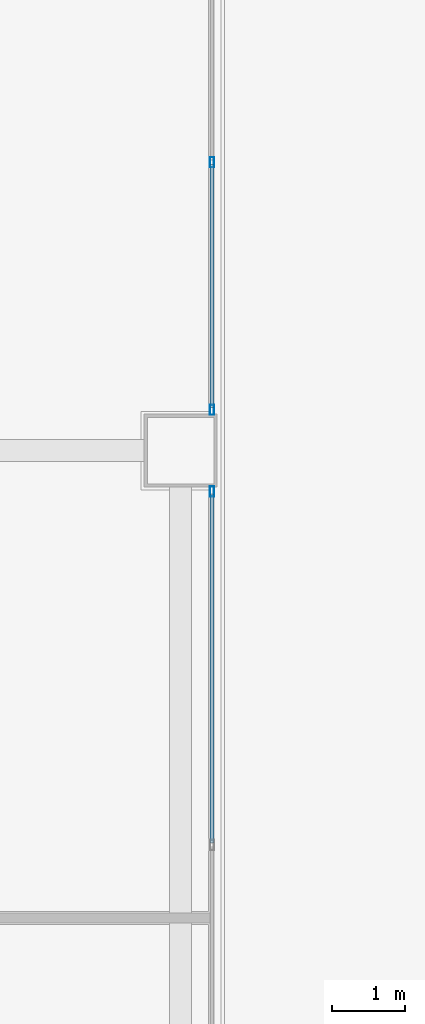
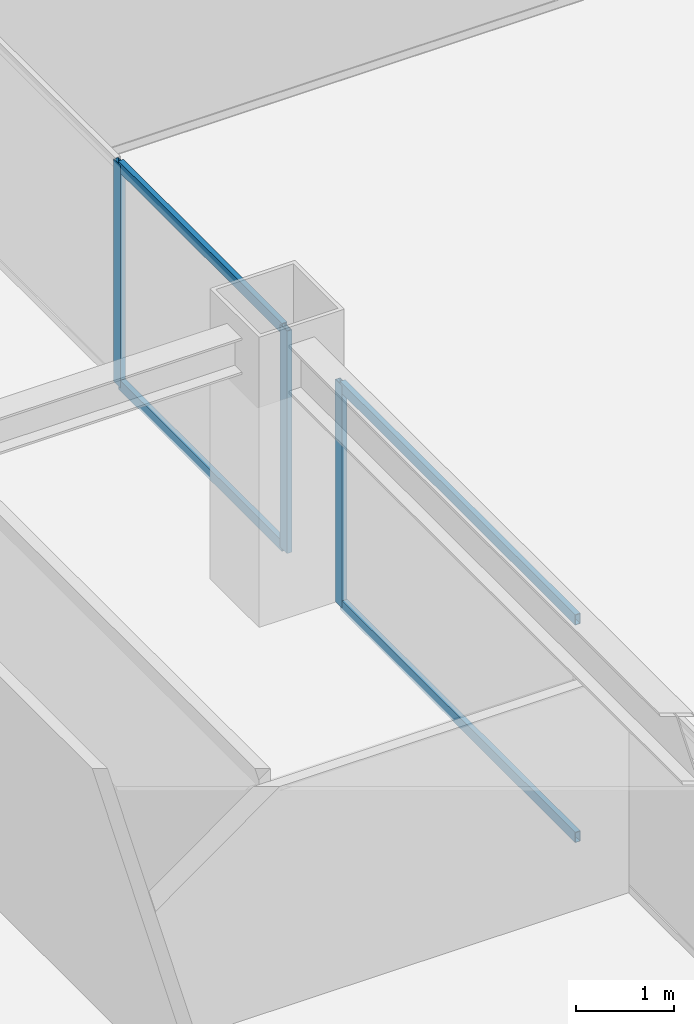
# One storey, part 7 of 30: 7 members, 2 elements without a shape of their own.
"""IFC4 building model written with IfcOpenShell, lengths in metres."""

from ifc_helpers import new_model, si_unit, direction, frame, origin, origin_2d, place, context, subcontext, project, spatial, hollow_rectangle, extrude, source, transform, mapped, material, layer, layer_set, material_profile, profile_set, type_object, element, aggregate, save


model = new_model("IFC4")

# Units and contexts
model_context = context("Model", 3, precision=1e-05, world=origin(), true_north=direction((0.0, 1.0)))
body_context = subcontext(model_context, "Body", "Model", "MODEL_VIEW")
ifc_project = project(units=[si_unit("LENGTHUNIT", "METRE"), si_unit("AREAUNIT", "SQUARE_METRE"), si_unit("VOLUMEUNIT", "CUBIC_METRE"), si_unit("PLANEANGLEUNIT", "RADIAN"), si_unit("MASSUNIT", "GRAM", prefix="KILO")], contexts=[model_context])

# Site, building, storey
site_placement = place(None, origin())
site = spatial("IfcSite", under=ifc_project, at=site_placement, CompositionType="ELEMENT")
building_placement = place(site_placement, origin())
building = spatial("IfcBuilding", under=site, at=building_placement, Name="Sumidabori Civic Tower", CompositionType="ELEMENT")
storey_placement = place(building_placement, frame((0.0, 0.0, 196.39990234375)))
storey = spatial("IfcBuildingStorey", under=building, at=storey_placement, Name="L50", CompositionType="ELEMENT", Elevation=196.39990234375)

# Curtain wall, member
ifc_material = material(Name="Anodised Bronze Aluminium AW-6063-T6", Category="aluminium")
ifc_layer = layer(ifc_material, 0.179931640625, Name="Anodised Bronze Aluminium AW-6063-T6")
ifc_layer_set = layer_set([ifc_layer], Name="Anodised Bronze Aluminium AW-6063-T6")
curtain_wall_type = type_object("IfcCurtainWallType", Name="CW-SYS-4", PredefinedType="NOTDEFINED", material=ifc_layer_set)
curtain_wall_1_placement = place(storey_placement, origin())
curtain_wall_1 = element("IfcCurtainWall", 1, at=curtain_wall_1_placement, inside=storey, type_object=curtain_wall_type, Name="Curtain Wall CW:L50:R03", PredefinedType="NOTDEFINED")
ifc_material_profile_1 = material_profile(ifc_material, hollow_rectangle(XDim=0.06005859375, YDim=0.139892578125, WallThickness=0.0048828125, at=origin_2d()), Name="ALU MULLION 140x60")
ifc_profile_set_1 = profile_set([ifc_material_profile_1], Name="Anodised Bronze Aluminium AW-6063-T6")
member_type_1 = type_object("IfcMemberType", Name="CW-MUL-140", PredefinedType="MULLION", material=ifc_profile_set_1)
shared_shape_1 = source(origin(), body_context, "Body", "SweptSolid", [
    extrude(hollow_rectangle(XDim=0.06005859375, YDim=0.139892578125, WallThickness=0.0048828125, at=origin_2d()), origin(), (0.0, 0.0, 1.0), 2.760009765625),
])
member_1_placement = place(storey_placement, frame((-7.969970703125, -0.56005859375, 0.0), z_axis=(0.0, 0.0, 1.0), x_axis=(-1.0, 0.0, 0.0)))
member_1 = element("IfcMember", 2, at=member_1_placement, type_object=member_type_1, Name="CW-4 mullion 3", PredefinedType="MULLION", context=body_context, shape_type="MappedRepresentation", body=[
    mapped(shared_shape_1, transform((0.0, 0.0, 0.0), x_axis=(1.0, 0.0, 0.0), y_axis=(0.0, 1.0, 0.0), z_axis=(0.0, 0.0, 1.0), scale=1.0)),
])

# Curtain wall, members
curtain_wall_2_placement = place(storey_placement, origin())
curtain_wall_2 = element("IfcCurtainWall", 3, at=curtain_wall_2_placement, inside=storey, type_object=curtain_wall_type, Name="Curtain Wall CW:L50:R04", PredefinedType="NOTDEFINED")
member_2_placement = place(storey_placement, frame((-7.969970703125, 0.56005859375, 0.0), z_axis=(0.0, 0.0, 1.0), x_axis=(-1.0, 0.0, 0.0)))
member_2 = element("IfcMember", 4, at=member_2_placement, type_object=member_type_1, Name="CW-4 mullion 1", PredefinedType="MULLION", context=body_context, shape_type="MappedRepresentation", body=[
    mapped(shared_shape_1, transform((0.0, 0.0, 0.0), x_axis=(1.0, 0.0, 0.0), y_axis=(0.0, 1.0, 0.0), z_axis=(0.0, 0.0, 1.0), scale=1.0)),
])
member_3_placement = place(storey_placement, frame((-7.969970703125, 3.949951171875, 0.0), z_axis=(0.0, 0.0, 1.0), x_axis=(-1.0, 0.0, 0.0)))
member_3 = element("IfcMember", 5, at=member_3_placement, type_object=member_type_1, Name="CW-4 mullion 2", PredefinedType="MULLION", context=body_context, shape_type="MappedRepresentation", body=[
    mapped(shared_shape_1, transform((0.0, 0.0, 0.0), x_axis=(1.0, 0.0, 0.0), y_axis=(0.0, 1.0, 0.0), z_axis=(0.0, 0.0, 1.0), scale=1.0)),
])

# Member
ifc_material_profile_2 = material_profile(ifc_material, hollow_rectangle(XDim=0.06005859375, YDim=0.1298828125, WallThickness=0.0048828125, at=origin_2d()), Name="ALU TRANSOM 130x60")
ifc_profile_set_2 = profile_set([ifc_material_profile_2], Name="Anodised Bronze Aluminium AW-6063-T6")
member_type_2 = type_object("IfcMemberType", Name="CW-TRN-130", PredefinedType="USERDEFINED", material=ifc_profile_set_2)
shared_shape_2 = source(origin(), body_context, "Body", "SweptSolid", [
    extrude(hollow_rectangle(XDim=0.06005859375, YDim=0.1298828125, WallThickness=0.0048828125, at=origin_2d()), origin(), (0.0, 0.0, 1.0), 4.780029296875),
])
member_4_placement = place(storey_placement, frame((-7.969970703125, -5.3701171875, 0.030029296875), z_axis=(0.0, 1.0, 0.0), x_axis=(-1.0, 0.0, 0.0)))
member_4 = element("IfcMember", 6, at=member_4_placement, type_object=member_type_2, Name="CW-4 transom 2.1", ObjectType="TRANSOM", PredefinedType="USERDEFINED", context=body_context, shape_type="MappedRepresentation", body=[
    mapped(shared_shape_2, transform((0.0, 0.0, 0.0), x_axis=(1.0, 0.0, 0.0), y_axis=(0.0, 1.0, 0.0), z_axis=(0.0, 0.0, 1.0), scale=1.0)),
])

member_5_placement = place(storey_placement, frame((-7.969970703125, -5.3701171875, 2.72998046875), z_axis=(0.0, 1.0, 0.0), x_axis=(-1.0, 0.0, 0.0)))
member_5 = element("IfcMember", 7, at=member_5_placement, type_object=member_type_2, Name="CW-4 transom 2.2", ObjectType="TRANSOM", PredefinedType="USERDEFINED", context=body_context, shape_type="MappedRepresentation", body=[
    mapped(shared_shape_2, transform((0.0, 0.0, 0.0), x_axis=(1.0, 0.0, 0.0), y_axis=(0.0, 1.0, 0.0), z_axis=(0.0, 0.0, 1.0), scale=1.0)),
])

aggregate(curtain_wall_1, [member_1, member_4, member_5])

shared_shape_3 = source(origin(), body_context, "Body", "SweptSolid", [
    extrude(hollow_rectangle(XDim=0.06005859375, YDim=0.1298828125, WallThickness=0.0048828125, at=origin_2d()), origin(), (0.0, 0.0, 1.0), 3.329833984375),
])
member_6_placement = place(storey_placement, frame((-7.969970703125, 0.590087890625, 0.030029296875), z_axis=(0.0, 1.0, 0.0), x_axis=(-1.0, 0.0, 0.0)))
member_6 = element("IfcMember", 8, at=member_6_placement, type_object=member_type_2, Name="CW-4 transom 1.1", ObjectType="TRANSOM", PredefinedType="USERDEFINED", context=body_context, shape_type="MappedRepresentation", body=[
    mapped(shared_shape_3, transform((0.0, 0.0, 0.0), x_axis=(1.0, 0.0, 0.0), y_axis=(0.0, 1.0, 0.0), z_axis=(0.0, 0.0, 1.0), scale=1.0)),
])

member_7_placement = place(storey_placement, frame((-7.969970703125, 0.590087890625, 2.72998046875), z_axis=(0.0, 1.0, 0.0), x_axis=(-1.0, 0.0, 0.0)))
member_7 = element("IfcMember", 9, at=member_7_placement, type_object=member_type_2, Name="CW-4 transom 1.2", ObjectType="TRANSOM", PredefinedType="USERDEFINED", context=body_context, shape_type="MappedRepresentation", body=[
    mapped(shared_shape_3, transform((0.0, 0.0, 0.0), x_axis=(1.0, 0.0, 0.0), y_axis=(0.0, 1.0, 0.0), z_axis=(0.0, 0.0, 1.0), scale=1.0)),
])

aggregate(curtain_wall_2, [member_2, member_3, member_6, member_7])

save(model, "model.ifc")
